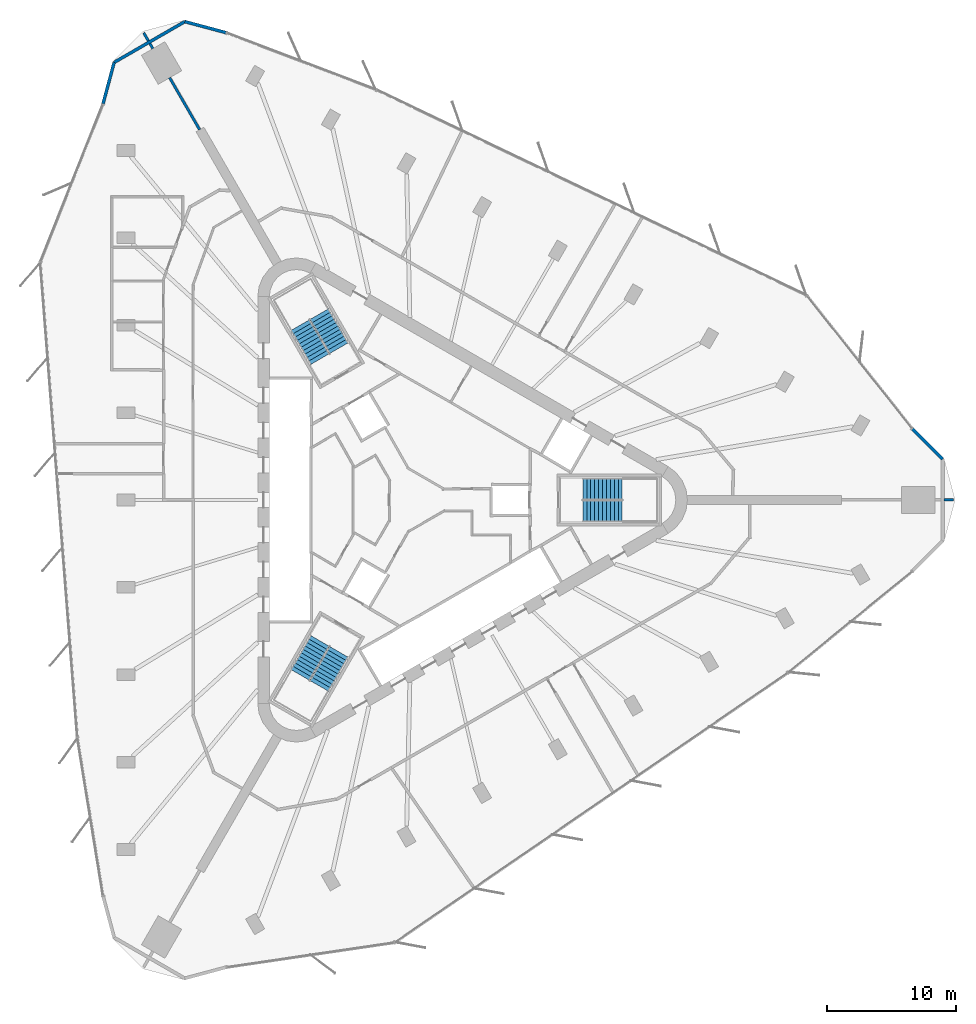
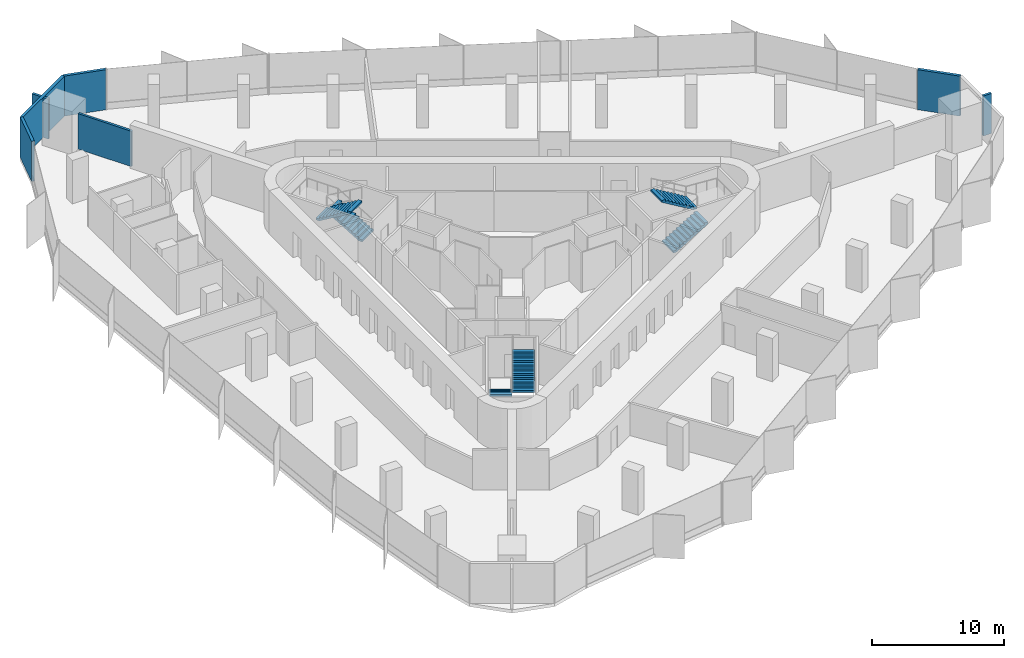
# One storey, part 12 of 13: 8 walls, 6 stair flights, 3 elements without a shape of their own.
"""IFC4 building model written with IfcOpenShell, lengths in metres."""

from ifc_helpers import new_model, si_unit, direction, frame, frame_2d, origin, place, context, subcontext, project, spatial, polyline, rectangle, outline, extrude, material, layer, layer_set, type_object, element, aggregate, save


model = new_model("IFC4")

# Units and contexts
model_context = context("Model", 3, precision=1e-05, world=origin(), true_north=direction((0.0, 1.0)))
body_context = subcontext(model_context, "Body", "Model", "MODEL_VIEW")
ifc_project = project(units=[si_unit("LENGTHUNIT", "METRE"), si_unit("AREAUNIT", "SQUARE_METRE"), si_unit("VOLUMEUNIT", "CUBIC_METRE"), si_unit("PLANEANGLEUNIT", "RADIAN"), si_unit("MASSUNIT", "GRAM", prefix="KILO")], contexts=[model_context])

# Site, building, storey
site_placement = place(None, origin())
site = spatial("IfcSite", under=ifc_project, at=site_placement, CompositionType="ELEMENT")
building_placement = place(site_placement, origin())
building = spatial("IfcBuilding", under=site, at=building_placement, Name="Tanit Gate Tower", CompositionType="ELEMENT")
storey_placement = place(building_placement, frame((0.0, 0.0, 197.199951171875)))
storey = spatial("IfcBuildingStorey", under=building, at=storey_placement, Name="L43", CompositionType="ELEMENT", Elevation=197.199951171875)

# Walls
ifc_material_1 = material(Name="Concrete C30/37 with bronze anodised aluminium cladding", Category="concrete")
ifc_layer_1 = layer(ifc_material_1, 0.239990234375)
ifc_layer_set_1 = layer_set([ifc_layer_1], Name="Facade wall bronze clad 240")
wall_type_1 = type_object("IfcWallType", Name="Facade wall bronze clad 240", PredefinedType="SOLIDWALL", material=ifc_layer_set_1)
wall_1_placement = place(storey_placement, frame((-14.560302734375, 36.22119140625, 0.0), z_axis=(0.0, 0.0, 1.0), x_axis=(-0.965922648034, 0.258830906222, 0.0)))
element("IfcWall", 1, at=wall_1_placement, inside=storey, type_object=wall_type_1, Name="Bronze-clad facade wall L43 NW.arc1", PredefinedType="SOLIDWALL", context=body_context, shape_type="SweptSolid", body=[
    extrude(rectangle(XDim=3.30322265625, YDim=0.239990234375, at=frame_2d((1.651611328125, 0.0))), origin(), (0.0, 0.0, 1.0), 3.699951171875),
])
wall_2_placement = place(storey_placement, frame((-17.7509765625, 37.076171875, 0.0), z_axis=(0.0, 0.0, 1.0), x_axis=(-0.86602503047, -0.5000006466, 0.0)))
element("IfcWall", 2, at=wall_2_placement, inside=storey, type_object=wall_type_1, Name="Bronze-clad facade wall L43 NW.arc2", PredefinedType="SOLIDWALL", context=body_context, shape_type="SweptSolid", body=[
    extrude(rectangle(XDim=6.33056640625, YDim=0.239990234375, at=frame_2d((3.165283203125, 0.0))), origin(), (0.0, 0.0, 1.0), 3.699951171875),
])
wall_3_placement = place(storey_placement, frame((-23.2333984375, 33.910888671875, 0.0), z_axis=(0.0, 0.0, 1.0), x_axis=(-0.258853842949, -0.965916501562, 0.0)))
element("IfcWall", 3, at=wall_3_placement, inside=storey, type_object=wall_type_1, Name="Bronze-clad facade wall L43 NW.arc3", PredefinedType="SOLIDWALL", context=body_context, shape_type="SweptSolid", body=[
    extrude(rectangle(XDim=3.316162109375, YDim=0.239990234375, at=frame_2d((1.658203125, 0.0))), origin(), (0.0, 0.0, 1.0), 3.699951171875),
])
wall_4_placement = place(storey_placement, frame((40.984375, 3.165283203125, 0.0), z_axis=(0.0, 0.0, 1.0), x_axis=(-0.707106781187, 0.707106781187, 0.0)))
element("IfcWall", 4, at=wall_4_placement, inside=storey, type_object=wall_type_1, Name="Bronze-clad facade wall L43 E.arc3", PredefinedType="SOLIDWALL", context=body_context, shape_type="SweptSolid", body=[
    extrude(rectangle(XDim=3.31640625, YDim=0.239990234375, at=frame_2d((1.658203125, 0.0))), origin(), (0.0, 0.0, 1.0), 3.699951171875),
])
ifc_material_2 = material(Name="Fire-rated gypsum board partition")
ifc_layer_2 = layer(ifc_material_2, 0.199951171875)
ifc_layer_set_2 = layer_set([ifc_layer_2], Name="INT-WALL-COMPARTMENT")
wall_type_2 = type_object("IfcWallType", Name="INT-WALL-COMPARTMENT", PredefinedType="PARTITIONING", material=ifc_layer_set_2)
wall_5_placement = place(storey_placement, frame((-20.938232421875, 36.2060546875, 0.0), z_axis=(0.0, 0.0, 1.0), x_axis=(0.49996696679, -0.866044474677, 0.0)))
element("IfcWall", 5, at=wall_5_placement, inside=storey, type_object=wall_type_2, Name="Wall Compartment W119", PredefinedType="PARTITIONING", context=body_context, shape_type="SweptSolid", body=[
    extrude(rectangle(XDim=0.72021484375, YDim=0.199951171875, at=frame_2d((0.360107421875, 0.0))), origin(), (0.0, 0.0, 1.0), 3.699951171875),
])
wall_6_placement = place(storey_placement, frame((-20.458251953125, 35.37451171875, 0.0), z_axis=(0.0, 0.0, 1.0), x_axis=(0.500384246316, -0.865803445384, 0.0)))
element("IfcWall", 6, at=wall_6_placement, inside=storey, type_object=wall_type_2, Name="Wall Compartment W119x1", PredefinedType="PARTITIONING", context=body_context, shape_type="SweptSolid", body=[
    extrude(rectangle(XDim=0.457763671875, YDim=0.199951171875, at=frame_2d((0.22900390625, 0.0))), origin(), (0.0, 0.0, 1.0), 3.699951171875),
])
wall_7_placement = place(storey_placement, frame((-18.929443359375, 32.7265625, 0.0), z_axis=(0.0, 0.0, 1.0), x_axis=(0.500007271693, -0.86602120543, 0.0)))
element("IfcWall", 7, at=wall_7_placement, inside=storey, type_object=wall_type_2, Name="Wall Compartment W120", PredefinedType="PARTITIONING", context=body_context, shape_type="SweptSolid", body=[
    extrude(rectangle(XDim=4.64990234375, YDim=0.199951171875, at=frame_2d((2.324951171875, 0.0))), origin(), (0.0, 0.0, 1.0), 3.27001953125),
])
wall_8_placement = place(storey_placement, frame((41.104248046875, 0.030029296875, 0.0), z_axis=(0.0, 0.0, 1.0), x_axis=(1.0, 0.0, 0.0)))
element("IfcWall", 8, at=wall_8_placement, inside=storey, type_object=wall_type_2, Name="Wall Compartment W132x1", PredefinedType="PARTITIONING", context=body_context, shape_type="SweptSolid", body=[
    extrude(rectangle(XDim=0.72021484375, YDim=0.199951171875, at=frame_2d((0.360107421875, 0.0))), origin(), (0.0, 0.0, 1.0), 3.699951171875),
])

# Stair, stair flights
ifc_material_3 = material(Name="Concrete C40/50", Category="concrete")
stair_type = type_object("IfcStairType", Name="INT-STAIR-EXIT", PredefinedType="HALF_TURN_STAIR", material=ifc_material_3)
stair_1_placement = place(storey_placement, origin())
stair_1 = element("IfcStair", 9, at=stair_1_placement, inside=storey, type_object=stair_type, Name="L43 STAIR S1", PredefinedType="HALF_TURN_STAIR")
ifc_material_4 = material(Name="Concrete C40/50", Category="concrete")
stair_flight_type = type_object("IfcStairFlightType", Name="INT-STAIR-FLIGHT", PredefinedType="STRAIGHT", material=ifc_material_4)
stair_flight_1_placement = place(storey_placement, frame((13.094970703125, -0.8525390625, 0.0), z_axis=(0.0, 0.0, 1.0), x_axis=(1.0, 0.0, 0.0)))
stair_flight_1 = element("IfcStairFlight", 10, at=stair_flight_1_placement, type_object=stair_flight_type, Name="S1 flight 1", NumberOfRisers=11, NumberOfTreads=10, PredefinedType="STRAIGHT", RiserHeight=0.181818182, TreadLength=0.3051, context=body_context, shape_type="SweptSolid", body=[
    extrude(outline(polyline([(0.0, 0.0), (0.0, 0.181884765625), (0.30517578125, 0.181884765625), (0.30517578125, 0.363525390625), (0.610107421875, 0.363525390625), (0.610107421875, 0.54541015625), (0.915283203125, 0.54541015625), (0.915283203125, 0.727294921875), (1.220458984375, 0.727294921875), (1.220458984375, 0.9091796875), (1.525390625, 0.9091796875), (1.525390625, 1.0908203125), (1.83056640625, 1.0908203125), (1.83056640625, 1.272705078125), (2.1357421875, 1.272705078125), (2.1357421875, 1.45458984375), (2.44091796875, 1.45458984375), (2.44091796875, 1.636474609375), (2.745849609375, 1.636474609375), (2.745849609375, 1.818115234375), (3.051025390625, 1.818115234375), (3.051025390625, 2.0), (3.051025390625, 1.643798828125), (0.292724609375, 0.0), (0.0, 0.0)])), frame((0.0, 0.84765625, 0.0), z_axis=(0.0, -1.0, 0.0), x_axis=(1.0, 0.0, 0.0)), (0.0, 0.0, 1.0), 1.695068359375),
])
stair_flight_2_placement = place(storey_placement, frame((16.14599609375, 0.8525390625, 2.0), z_axis=(0.0, 0.0, 1.0), x_axis=(-1.0, 0.0, 0.0)))
stair_flight_2 = element("IfcStairFlight", 11, at=stair_flight_2_placement, type_object=stair_flight_type, Name="S1 flight 2", NumberOfRisers=11, NumberOfTreads=10, PredefinedType="STRAIGHT", RiserHeight=0.181818182, TreadLength=0.3051, context=body_context, shape_type="SweptSolid", body=[
    extrude(outline(polyline([(0.0, 0.0), (0.0, 0.181884765625), (0.30517578125, 0.181884765625), (0.30517578125, 0.363525390625), (0.610107421875, 0.363525390625), (0.610107421875, 0.54541015625), (0.915283203125, 0.54541015625), (0.915283203125, 0.727294921875), (1.220458984375, 0.727294921875), (1.220458984375, 0.9091796875), (1.525390625, 0.9091796875), (1.525390625, 1.0908203125), (1.83056640625, 1.0908203125), (1.83056640625, 1.272705078125), (2.1357421875, 1.272705078125), (2.1357421875, 1.45458984375), (2.44091796875, 1.45458984375), (2.44091796875, 1.636474609375), (2.745849609375, 1.636474609375), (2.745849609375, 1.818115234375), (3.051025390625, 1.818115234375), (3.051025390625, 2.0), (3.051025390625, 1.643798828125), (0.292724609375, 0.0), (0.0, 0.0)])), frame((0.0, 0.84765625, 0.0), z_axis=(0.0, -1.0, 0.0), x_axis=(1.0, 0.0, 0.0)), (0.0, 0.0, 1.0), 1.695068359375),
])
aggregate(stair_1, [stair_flight_1, stair_flight_2])

stair_2_placement = place(storey_placement, origin())
stair_2 = element("IfcStair", 12, at=stair_2_placement, inside=storey, type_object=stair_type, Name="L43 STAIR S2", PredefinedType="HALF_TURN_STAIR")
stair_flight_3_placement = place(storey_placement, frame((-5.808349609375, 11.766357421875, 0.0), z_axis=(0.0, 0.0, 1.0), x_axis=(-0.5, 0.866025403784, 0.0)))
stair_flight_3 = element("IfcStairFlight", 13, at=stair_flight_3_placement, type_object=stair_flight_type, Name="S2 flight 1", NumberOfRisers=11, NumberOfTreads=10, PredefinedType="STRAIGHT", RiserHeight=0.181818182, TreadLength=0.30492, context=body_context, shape_type="SweptSolid", body=[
    extrude(outline(polyline([(0.0, 0.0), (0.0, 0.181884765625), (0.304931640625, 0.181884765625), (0.304931640625, 0.363525390625), (0.60986328125, 0.363525390625), (0.60986328125, 0.54541015625), (0.914794921875, 0.54541015625), (0.914794921875, 0.727294921875), (1.2197265625, 0.727294921875), (1.2197265625, 0.9091796875), (1.524658203125, 0.9091796875), (1.524658203125, 1.0908203125), (1.82958984375, 1.0908203125), (1.82958984375, 1.272705078125), (2.134521484375, 1.272705078125), (2.134521484375, 1.45458984375), (2.439453125, 1.45458984375), (2.439453125, 1.636474609375), (2.744384765625, 1.636474609375), (2.744384765625, 1.818115234375), (3.04931640625, 1.818115234375), (3.04931640625, 2.0), (3.04931640625, 1.6435546875), (0.292724609375, 0.0), (0.0, 0.0)])), frame((0.0, 0.84716796875, 0.0), z_axis=(0.0, -1.0, 0.0), x_axis=(1.0, 0.0, 0.0)), (0.0, 0.0, 1.0), 1.694091796875),
])
stair_flight_4_placement = place(storey_placement, frame((-8.810302734375, 13.553955078125, 2.0), z_axis=(0.0, 0.0, 1.0), x_axis=(0.5, -0.866025403784, 0.0)))
stair_flight_4 = element("IfcStairFlight", 14, at=stair_flight_4_placement, type_object=stair_flight_type, Name="S2 flight 2", NumberOfRisers=11, NumberOfTreads=10, PredefinedType="STRAIGHT", RiserHeight=0.181818182, TreadLength=0.30492, context=body_context, shape_type="SweptSolid", body=[
    extrude(outline(polyline([(0.0, 0.0), (0.0, 0.181884765625), (0.304931640625, 0.181884765625), (0.304931640625, 0.363525390625), (0.60986328125, 0.363525390625), (0.60986328125, 0.54541015625), (0.914794921875, 0.54541015625), (0.914794921875, 0.727294921875), (1.2197265625, 0.727294921875), (1.2197265625, 0.9091796875), (1.524658203125, 0.9091796875), (1.524658203125, 1.0908203125), (1.82958984375, 1.0908203125), (1.82958984375, 1.272705078125), (2.134521484375, 1.272705078125), (2.134521484375, 1.45458984375), (2.439453125, 1.45458984375), (2.439453125, 1.636474609375), (2.744384765625, 1.636474609375), (2.744384765625, 1.818115234375), (3.04931640625, 1.818115234375), (3.04931640625, 2.0), (3.04931640625, 1.6435546875), (0.292724609375, 0.0), (0.0, 0.0)])), frame((0.0, 0.84716796875, 0.0), z_axis=(0.0, -1.0, 0.0), x_axis=(1.0, 0.0, 0.0)), (0.0, 0.0, 1.0), 1.694091796875),
])
aggregate(stair_2, [stair_flight_3, stair_flight_4])

stair_3_placement = place(storey_placement, origin())
stair_3 = element("IfcStair", 15, at=stair_3_placement, inside=storey, type_object=stair_type, Name="L43 STAIR S3", PredefinedType="HALF_TURN_STAIR")
stair_flight_5_placement = place(storey_placement, frame((-7.285888671875, -10.914306640625, 0.0), z_axis=(0.0, 0.0, 1.0), x_axis=(-0.5, -0.866025403784, 0.0)))
stair_flight_5 = element("IfcStairFlight", 16, at=stair_flight_5_placement, type_object=stair_flight_type, Name="S3 flight 1", NumberOfRisers=11, NumberOfTreads=10, PredefinedType="STRAIGHT", RiserHeight=0.181818182, TreadLength=0.3051, context=body_context, shape_type="SweptSolid", body=[
    extrude(outline(polyline([(0.0, 0.0), (0.0, 0.181884765625), (0.30517578125, 0.181884765625), (0.30517578125, 0.363525390625), (0.610107421875, 0.363525390625), (0.610107421875, 0.54541015625), (0.915283203125, 0.54541015625), (0.915283203125, 0.727294921875), (1.220458984375, 0.727294921875), (1.220458984375, 0.9091796875), (1.525390625, 0.9091796875), (1.525390625, 1.0908203125), (1.83056640625, 1.0908203125), (1.83056640625, 1.272705078125), (2.1357421875, 1.272705078125), (2.1357421875, 1.45458984375), (2.44091796875, 1.45458984375), (2.44091796875, 1.636474609375), (2.745849609375, 1.636474609375), (2.745849609375, 1.818115234375), (3.051025390625, 1.818115234375), (3.051025390625, 2.0), (3.051025390625, 1.643798828125), (0.292724609375, 0.0), (0.0, 0.0)])), frame((0.0, 0.84765625, 0.0), z_axis=(0.0, -1.0, 0.0), x_axis=(1.0, 0.0, 0.0)), (0.0, 0.0, 1.0), 1.695068359375),
])
stair_flight_6_placement = place(storey_placement, frame((-7.334716796875, -14.4091796875, 2.0), z_axis=(0.0, 0.0, 1.0), x_axis=(0.5, 0.866025403784, 0.0)))
stair_flight_6 = element("IfcStairFlight", 17, at=stair_flight_6_placement, type_object=stair_flight_type, Name="S3 flight 2", NumberOfRisers=11, NumberOfTreads=10, PredefinedType="STRAIGHT", RiserHeight=0.181818182, TreadLength=0.3051, context=body_context, shape_type="SweptSolid", body=[
    extrude(outline(polyline([(0.0, 0.0), (0.0, 0.181884765625), (0.30517578125, 0.181884765625), (0.30517578125, 0.363525390625), (0.610107421875, 0.363525390625), (0.610107421875, 0.54541015625), (0.915283203125, 0.54541015625), (0.915283203125, 0.727294921875), (1.220458984375, 0.727294921875), (1.220458984375, 0.9091796875), (1.525390625, 0.9091796875), (1.525390625, 1.0908203125), (1.83056640625, 1.0908203125), (1.83056640625, 1.272705078125), (2.1357421875, 1.272705078125), (2.1357421875, 1.45458984375), (2.44091796875, 1.45458984375), (2.44091796875, 1.636474609375), (2.745849609375, 1.636474609375), (2.745849609375, 1.818115234375), (3.051025390625, 1.818115234375), (3.051025390625, 2.0), (3.051025390625, 1.643798828125), (0.292724609375, 0.0), (0.0, 0.0)])), frame((0.0, 0.84765625, 0.0), z_axis=(0.0, -1.0, 0.0), x_axis=(1.0, 0.0, 0.0)), (0.0, 0.0, 1.0), 1.695068359375),
])
aggregate(stair_3, [stair_flight_5, stair_flight_6])

save(model, "model.ifc")
